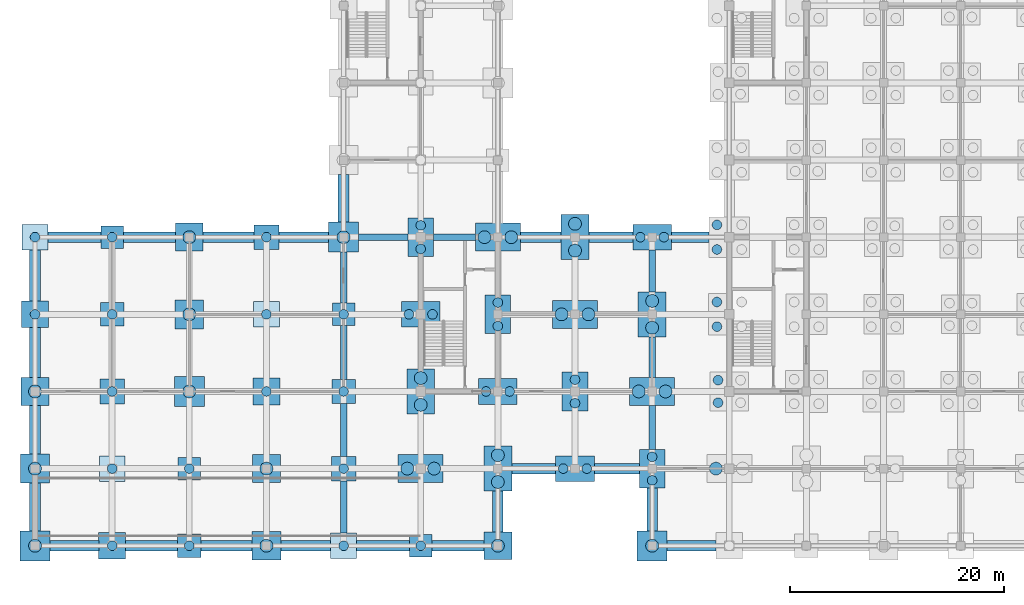
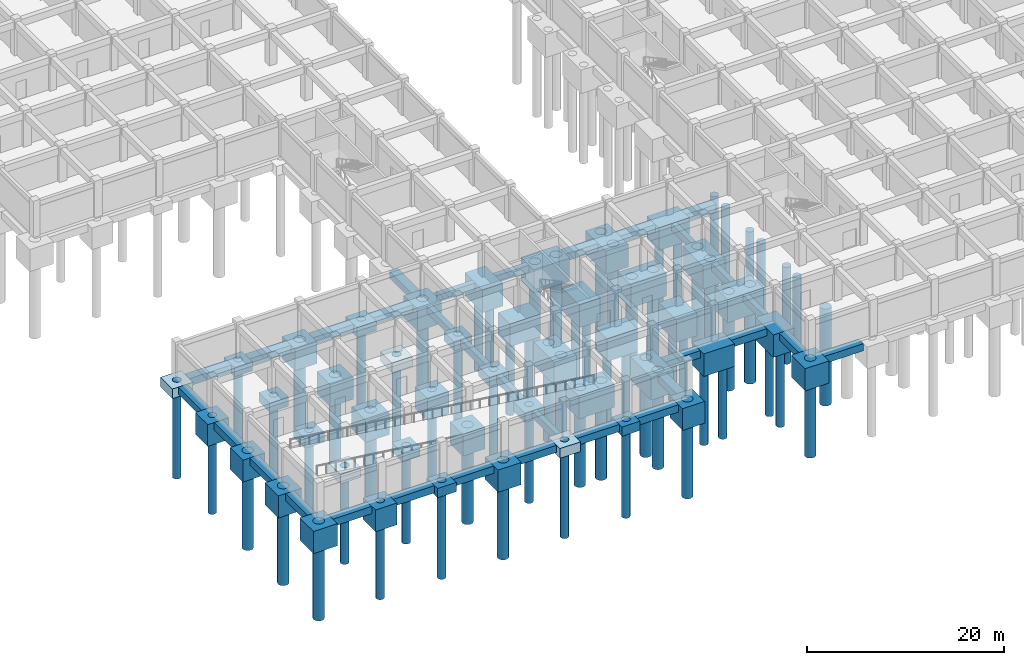
# One storey, part 1 of 25: 76 footings, 67 piles.
"""IFC4 building model written with IfcOpenShell, lengths in metres."""

from ifc_helpers import new_model, si_unit, direction, frame, origin, origin_2d, place, context, subcontext, project, spatial, rectangle, circle, extrude, material, material_profile, profile_set, type_object, element, save


model = new_model("IFC4")

# Units and contexts
model_context = context("Model", 3, precision=1e-05, world=origin(), true_north=direction((0.0, 1.0)))
body_context = subcontext(model_context, "Body", "Model", "MODEL_VIEW")
ifc_project = project(units=[si_unit("LENGTHUNIT", "METRE"), si_unit("AREAUNIT", "SQUARE_METRE"), si_unit("VOLUMEUNIT", "CUBIC_METRE"), si_unit("PLANEANGLEUNIT", "RADIAN"), si_unit("MASSUNIT", "GRAM", prefix="KILO")], contexts=[model_context])

# Site, building, storey
site_placement = place(None, origin())
site = spatial("IfcSite", under=ifc_project, at=site_placement, CompositionType="ELEMENT")
building_placement = place(site_placement, origin())
building = spatial("IfcBuilding", under=site, at=building_placement, Name="Cendaluz Park School", CompositionType="ELEMENT")
storey_placement = place(building_placement, frame((0.0, 0.0, -4.5)))
storey = spatial("IfcBuildingStorey", under=building, at=storey_placement, Name="B1", CompositionType="ELEMENT", Elevation=-4.5)

# Piles
ifc_material = material(Name="Concrete C40/50", Category="concrete")
ifc_material_profile_1 = material_profile(ifc_material, circle(Radius=0.449951171875, at=origin_2d()), Name="BP D900", Category="concrete")
ifc_profile_set_1 = profile_set([ifc_material_profile_1], Name="Concrete C40/50")
pile_type_1 = type_object("IfcPileType", Name="BP-01", PredefinedType="BORED", material=ifc_profile_set_1)
for number, where, z_axis, x_axis, name in (
    (1, (0.0, 21.60009765625, -0.5), (0.0, 0.0, -1.0), (1.0, 0.0, 0.0), "PL-B1-004"),
    (2, (0.0, 28.800048828125, -0.5), (0.0, 0.0, -1.0), (1.0, 0.0, 0.0), "PL-B1-005"),
    (3, (7.199951171875, 0.0, -0.5), (0.0, 0.0, -1.0), (1.0, 0.0, 0.0), "PL-B1-015"),
    (4, (7.199951171875, 7.199951171875, -0.5), (0.0, 0.0, -1.0), (1.0, 0.0, 0.0), "PL-B1-016"),
    (5, (7.199951171875, 14.39990234375, -0.5), (0.0, 0.0, -1.0), (1.0, 0.0, 0.0), "PL-B1-017"),
    (6, (7.199951171875, 21.60009765625, -0.5), (0.0, 0.0, -1.0), (1.0, 0.0, 0.0), "PL-B1-018"),
    (7, (7.199951171875, 28.800048828125, -0.5), (0.0, 0.0, -1.0), (1.0, 0.0, 0.0), "PL-B1-019"),
    (8, (14.39990234375, 0.0, -0.5), (0.0, 0.0, -1.0), (1.0, 0.0, 0.0), "PL-B1-029"),
    (9, (14.39990234375, 7.199951171875, -0.5), (0.0, 0.0, -1.0), (1.0, 0.0, 0.0), "PL-B1-030"),
    (10, (21.60009765625, 14.39990234375, -0.5), (0.0, 0.0, -1.0), (1.0, 0.0, 0.0), "PL-B1-045"),
    (11, (21.60009765625, 21.60009765625, -0.5), (0.0, 0.0, -1.0), (1.0, 0.0, 0.0), "PL-B1-046"),
    (12, (21.60009765625, 28.800048828125, -0.5), (0.0, 0.0, -1.0), (1.0, 0.0, 0.0), "PL-B1-047"),
    (13, (28.800048828125, 0.0, -0.5), (0.0, 0.0, -1.0), (1.0, 0.0, 0.0), "PL-B1-057"),
    (14, (28.800048828125, 7.199951171875, -0.5), (0.0, 0.0, -1.0), (1.0, 0.0, 0.0), "PL-B1-058"),
    (15, (28.800048828125, 14.39990234375, -0.5), (0.0, 0.0, -1.0), (1.0, 0.0, 0.0), "PL-B1-059"),
    (16, (28.800048828125, 21.60009765625, -0.5), (0.0, 0.0, -1.0), (1.0, 0.0, 0.0), "PL-B1-060"),
    (17, (36.0, 0.0, -0.5), (0.0, 0.0, -1.0), (1.0, 0.0, 0.0), "PL-B1-074"),
    (18, (34.89990234375, 21.60009765625, -0.5), (0.0, 0.0, -1.0), (1.0, 0.0, 0.0), "PL-B1-079"),
    (19, (37.10009765625, 21.60009765625, -0.5), (0.0, 0.0, -1.0), (1.0, 0.0, 0.0), "PL-B1-080"),
    (20, (36.0, 27.699951171875, -0.5), (0.0, 0.0, -1.0), (1.0, 0.0, 0.0), "PL-B1-081"),
    (21, (36.0, 29.89990234375, -0.5), (0.0, 0.0, -1.0), (1.0, 0.0, 0.0), "PL-B1-082"),
    (22, (42.10009765625, 14.39990234375, -0.5), (0.0, 0.0, -1.0), (1.0, 0.0, 0.0), "PL-B1-098"),
    (23, (44.300048828125, 14.39990234375, -0.5), (0.0, 0.0, -1.0), (1.0, 0.0, 0.0), "PL-B1-099"),
    (24, (43.199951171875, 20.5, -0.5), (0.0, 0.0, -1.0), (1.0, 0.0, 0.0), "PL-B1-100"),
    (25, (43.199951171875, 22.699951171875, -0.5), (0.0, 0.0, -1.0), (1.0, 0.0, 0.0), "PL-B1-101"),
    (26, (49.300048828125, 7.199951171875, -0.5), (0.0, 0.0, -1.0), (1.0, 0.0, 0.0), "PL-B1-116"),
    (27, (51.5, 7.199951171875, -0.5), (0.0, 0.0, -1.0), (1.0, 0.0, 0.0), "PL-B1-117"),
    (28, (50.39990234375, 13.300048828125, -0.5), (0.0, 0.0, -1.0), (1.0, 0.0, 0.0), "PL-B1-118"),
    (29, (50.39990234375, 15.5, -0.5), (0.0, 0.0, -1.0), (1.0, 0.0, 0.0), "PL-B1-119"),
    (30, (57.60009765625, 6.10009765625, -0.5), (0.0, 0.0, -1.0), (1.0, 0.0, 0.0), "PL-B1-125"),
    (31, (57.60009765625, 8.300048828125, -0.5), (0.0, 0.0, -1.0), (1.0, 0.0, 0.0), "PL-B1-126"),
    (32, (56.5, 28.800048828125, -0.5), (0.0, 0.0, -1.0), (1.0, 0.0, 0.0), "PL-B1-131"),
    (33, (58.699951171875, 28.800048828125, -0.5), (0.0, 0.0, -1.0), (1.0, 0.0, 0.0), "PL-B1-132"),
    (34, (63.75, 13.35009765625, -0.5), (0.0, 0.0, -1.0), (1.0, 0.0, 0.0), "PL-B1-136"),
    (35, (63.75, 15.449951171875, -0.5), (0.0, 0.0, -1.0), (1.0, 0.0, 0.0), "PL-B1-138"),
    (36, (63.64990234375, 20.449951171875, -0.5), (0.0, 0.0, -1.0), (1.0, 0.0, 0.0), "PL-B1-140"),
    (37, (63.64990234375, 22.75, -0.5), (0.0, 0.0, -1.0), (1.0, 0.0, 0.0), "PL-B1-142"),
    (38, (63.64990234375, 27.64990234375, -0.5), (0.0, 0.0, -1.0), (1.0, 0.0, 0.0), "PL-B1-144"),
    (39, (63.64990234375, 29.949951171875, -0.5), (0.0, 0.0, -1.0), (1.0, 0.0, 0.0), "PL-B1-146"),
):
    element("IfcPile", number, at=place(storey_placement, frame(where, z_axis=z_axis, x_axis=x_axis)), inside=storey, type_object=pile_type_1, Name=name, PredefinedType="BORED", context=body_context, shape_type="SweptSolid", body=[
        extrude(circle(Radius=0.449951171875, at=origin_2d()), origin(), (0.0, 0.0, 1.0), 12.0),
    ])
ifc_material_profile_2 = material_profile(ifc_material, circle(Radius=0.60009765625, at=origin_2d()), Name="BP D1200", Category="concrete")
ifc_profile_set_2 = profile_set([ifc_material_profile_2], Name="Concrete C40/50")
pile_type_2 = type_object("IfcPileType", Name="BP-02", PredefinedType="BORED", material=ifc_profile_set_2)
for number, where, z_axis, x_axis, name in (
    (40, (0.0, 0.0, -0.5), (0.0, 0.0, -1.0), (1.0, 0.0, 0.0), "PL-B1-001"),
    (41, (0.0, 7.199951171875, -0.5), (0.0, 0.0, -1.0), (1.0, 0.0, 0.0), "PL-B1-002"),
    (42, (0.0, 14.39990234375, -0.5), (0.0, 0.0, -1.0), (1.0, 0.0, 0.0), "PL-B1-003"),
    (43, (14.39990234375, 14.39990234375, -0.5), (0.0, 0.0, -1.0), (1.0, 0.0, 0.0), "PL-B1-031"),
    (44, (14.39990234375, 21.60009765625, -0.5), (0.0, 0.0, -1.0), (1.0, 0.0, 0.0), "PL-B1-032"),
    (45, (14.39990234375, 28.800048828125, -0.5), (0.0, 0.0, -1.0), (1.0, 0.0, 0.0), "PL-B1-033"),
    (46, (21.60009765625, 0.0, -0.5), (0.0, 0.0, -1.0), (1.0, 0.0, 0.0), "PL-B1-043"),
    (47, (21.60009765625, 7.199951171875, -0.5), (0.0, 0.0, -1.0), (1.0, 0.0, 0.0), "PL-B1-044"),
    (48, (28.800048828125, 28.800048828125, -0.5), (0.0, 0.0, -1.0), (1.0, 0.0, 0.0), "PL-B1-061"),
    (49, (34.75, 7.199951171875, -0.5), (0.0, 0.0, -1.0), (1.0, 0.0, 0.0), "PL-B1-075"),
    (50, (37.25, 7.199951171875, -0.5), (0.0, 0.0, -1.0), (1.0, 0.0, 0.0), "PL-B1-076"),
    (51, (36.0, 13.14990234375, -0.5), (0.0, 0.0, -1.0), (1.0, 0.0, 0.0), "PL-B1-077"),
    (52, (36.0, 15.64990234375, -0.5), (0.0, 0.0, -1.0), (1.0, 0.0, 0.0), "PL-B1-078"),
    (53, (43.199951171875, 0.0, -0.5), (0.0, 0.0, -1.0), (1.0, 0.0, 0.0), "PL-B1-095"),
    (54, (43.199951171875, 5.949951171875, -0.5), (0.0, 0.0, -1.0), (1.0, 0.0, 0.0), "PL-B1-096"),
    (55, (43.199951171875, 8.449951171875, -0.5), (0.0, 0.0, -1.0), (1.0, 0.0, 0.0), "PL-B1-097"),
    (56, (41.949951171875, 28.800048828125, -0.5), (0.0, 0.0, -1.0), (1.0, 0.0, 0.0), "PL-B1-102"),
    (57, (44.449951171875, 28.800048828125, -0.5), (0.0, 0.0, -1.0), (1.0, 0.0, 0.0), "PL-B1-103"),
    (58, (49.14990234375, 21.60009765625, -0.5), (0.0, 0.0, -1.0), (1.0, 0.0, 0.0), "PL-B1-120"),
    (59, (51.64990234375, 21.60009765625, -0.5), (0.0, 0.0, -1.0), (1.0, 0.0, 0.0), "PL-B1-121"),
    (60, (50.39990234375, 27.550048828125, -0.5), (0.0, 0.0, -1.0), (1.0, 0.0, 0.0), "PL-B1-122"),
    (61, (50.39990234375, 30.050048828125, -0.5), (0.0, 0.0, -1.0), (1.0, 0.0, 0.0), "PL-B1-123"),
    (62, (57.60009765625, 0.0, -0.5), (0.0, 0.0, -1.0), (1.0, 0.0, 0.0), "PL-B1-124"),
    (63, (56.35009765625, 14.39990234375, -0.5), (0.0, 0.0, -1.0), (1.0, 0.0, 0.0), "PL-B1-127"),
    (64, (58.85009765625, 14.39990234375, -0.5), (0.0, 0.0, -1.0), (1.0, 0.0, 0.0), "PL-B1-128"),
    (65, (57.60009765625, 20.35009765625, -0.5), (0.0, 0.0, -1.0), (1.0, 0.0, 0.0), "PL-B1-129"),
    (66, (57.60009765625, 22.85009765625, -0.5), (0.0, 0.0, -1.0), (1.0, 0.0, 0.0), "PL-B1-130"),
    (67, (63.550048828125, 7.199951171875, -0.5), (0.0, 0.0, -1.0), (1.0, 0.0, 0.0), "PL-B1-134"),
):
    element("IfcPile", number, at=place(storey_placement, frame(where, z_axis=z_axis, x_axis=x_axis)), inside=storey, type_object=pile_type_2, Name=name, PredefinedType="BORED", context=body_context, shape_type="SweptSolid", body=[
        extrude(circle(Radius=0.60009765625, at=origin_2d()), origin(), (0.0, 0.0, 1.0), 12.0),
    ])

# Footings
footing_type_1 = type_object("IfcFootingType", Name="FB-X390", PredefinedType="FOOTING_BEAM", material=ifc_material)
footing_1_placement = place(storey_placement, frame((39.14990234375, 28.800048828125, -1.39990234375), z_axis=(0.0, 0.0, 1.0), x_axis=(1.0, 0.0, 0.0)))
element("IfcFooting", 68, at=footing_1_placement, inside=storey, type_object=footing_type_1, Name="FT-B1-336", PredefinedType="FOOTING_BEAM", context=body_context, shape_type="SweptSolid", body=[
    extrude(rectangle(XDim=3.89990234375, YDim=0.60009765625, at=origin_2d()), origin(), (0.0, 0.0, 1.0), 0.89990234375),
])
footing_type_2 = type_object("IfcFootingType", Name="FB-X460", PredefinedType="FOOTING_BEAM", material=ifc_material)
footing_2_placement = place(storey_placement, frame((32.5, 28.800048828125, -1.39990234375), z_axis=(0.0, 0.0, 1.0), x_axis=(1.0, 0.0, 0.0)))
element("IfcFooting", 69, at=footing_2_placement, inside=storey, type_object=footing_type_2, Name="FT-B1-331", PredefinedType="FOOTING_BEAM", context=body_context, shape_type="SweptSolid", body=[
    extrude(rectangle(XDim=4.60009765625, YDim=0.60009765625, at=origin_2d()), origin(), (0.0, 0.0, 1.0), 0.89990234375),
])
footing_type_3 = type_object("IfcFootingType", Name="FB-Y380", PredefinedType="FOOTING_BEAM", material=ifc_material)
footing_3_placement = place(storey_placement, frame((57.60009765625, 17.60009765625, -1.39990234375), z_axis=(0.0, 0.0, 1.0), x_axis=(1.0, 0.0, 0.0)))
element("IfcFooting", 70, at=footing_3_placement, inside=storey, type_object=footing_type_3, Name="FT-B1-449", PredefinedType="FOOTING_BEAM", context=body_context, shape_type="SweptSolid", body=[
    extrude(rectangle(XDim=0.60009765625, YDim=3.800048828125, at=origin_2d()), origin(), (0.0, 0.0, 1.0), 0.89990234375),
])
footing_type_4 = type_object("IfcFootingType", Name="FB-Y390", PredefinedType="FOOTING_BEAM", material=ifc_material)
footing_4_placement = place(storey_placement, frame((57.60009765625, 25.64990234375, -1.39990234375), z_axis=(0.0, 0.0, 1.0), x_axis=(1.0, 0.0, 0.0)))
element("IfcFooting", 71, at=footing_4_placement, inside=storey, type_object=footing_type_4, Name="FT-B1-450", PredefinedType="FOOTING_BEAM", context=body_context, shape_type="SweptSolid", body=[
    extrude(rectangle(XDim=0.60009765625, YDim=3.89990234375, at=origin_2d()), origin(), (0.0, 0.0, 1.0), 0.89990234375),
])
footing_type_5 = type_object("IfcFootingType", Name="FB-Y410", PredefinedType="FOOTING_BEAM", material=ifc_material)
footing_5_placement = place(storey_placement, frame((57.60009765625, 11.050048828125, -1.39990234375), z_axis=(0.0, 0.0, 1.0), x_axis=(1.0, 0.0, 0.0)))
element("IfcFooting", 72, at=footing_5_placement, inside=storey, type_object=footing_type_5, Name="FT-B1-448", PredefinedType="FOOTING_BEAM", context=body_context, shape_type="SweptSolid", body=[
    extrude(rectangle(XDim=0.60009765625, YDim=4.10009765625, at=origin_2d()), origin(), (0.0, 0.0, 1.0), 0.89990234375),
])
footing_type_6 = type_object("IfcFootingType", Name="FB-Y475", PredefinedType="FOOTING_BEAM", material=ifc_material)
footing_6_placement = place(storey_placement, frame((28.800048828125, 25.02490234375, -1.39990234375), z_axis=(0.0, 0.0, 1.0), x_axis=(1.0, 0.0, 0.0)))
element("IfcFooting", 73, at=footing_6_placement, inside=storey, type_object=footing_type_6, Name="FT-B1-421", PredefinedType="FOOTING_BEAM", context=body_context, shape_type="SweptSolid", body=[
    extrude(rectangle(XDim=0.60009765625, YDim=4.75, at=origin_2d()), origin(), (0.0, 0.0, 1.0), 0.89990234375),
])
footing_type_7 = type_object("IfcFootingType", Name="FB-Y485", PredefinedType="FOOTING_BEAM", material=ifc_material)
footing_7_placement = place(storey_placement, frame((28.800048828125, 3.625, -1.39990234375), z_axis=(0.0, 0.0, 1.0), x_axis=(1.0, 0.0, 0.0)))
element("IfcFooting", 74, at=footing_7_placement, inside=storey, type_object=footing_type_7, Name="FT-B1-418", PredefinedType="FOOTING_BEAM", context=body_context, shape_type="SweptSolid", body=[
    extrude(rectangle(XDim=0.60009765625, YDim=4.85009765625, at=origin_2d()), origin(), (0.0, 0.0, 1.0), 0.89990234375),
])
footing_type_8 = type_object("IfcFootingType", Name="FB-Y495", PredefinedType="FOOTING_BEAM", material=ifc_material)
footing_8_placement = place(storey_placement, frame((28.800048828125, 10.824951171875, -1.39990234375), z_axis=(0.0, 0.0, 1.0), x_axis=(1.0, 0.0, 0.0)))
element("IfcFooting", 75, at=footing_8_placement, inside=storey, type_object=footing_type_8, Name="FT-B1-419", PredefinedType="FOOTING_BEAM", context=body_context, shape_type="SweptSolid", body=[
    extrude(rectangle(XDim=0.60009765625, YDim=4.949951171875, at=origin_2d()), origin(), (0.0, 0.0, 1.0), 0.89990234375),
])
footing_type_9 = type_object("IfcFootingType", Name="FB-Y505", PredefinedType="FOOTING_BEAM", material=ifc_material)
footing_9_placement = place(storey_placement, frame((28.800048828125, 18.02490234375, -1.39990234375), z_axis=(0.0, 0.0, 1.0), x_axis=(1.0, 0.0, 0.0)))
element("IfcFooting", 76, at=footing_9_placement, inside=storey, type_object=footing_type_9, Name="FT-B1-420", PredefinedType="FOOTING_BEAM", context=body_context, shape_type="SweptSolid", body=[
    extrude(rectangle(XDim=0.60009765625, YDim=5.050048828125, at=origin_2d()), origin(), (0.0, 0.0, 1.0), 0.89990234375),
])
footing_type_10 = type_object("IfcFootingType", Name="PC-05", PredefinedType="PILE_CAP", material=ifc_material)
for number, where, z_axis, x_axis, name in (
    (77, (36.0, 21.60009765625, -3.2998046875), (0.0, 0.0, 1.0), (1.0, 0.0, 0.0), "FT-B1-077"),
    (78, (43.199951171875, 14.39990234375, -3.2998046875), (0.0, 0.0, 1.0), (1.0, 0.0, 0.0), "FT-B1-093"),
    (79, (50.39990234375, 7.199951171875, -3.2998046875), (0.0, 0.0, 1.0), (1.0, 0.0, 0.0), "FT-B1-108"),
    (80, (57.60009765625, 28.800048828125, -3.2998046875), (0.0, 0.0, 1.0), (1.0, 0.0, 0.0), "FT-B1-116"),
):
    element("IfcFooting", number, at=place(storey_placement, frame(where, z_axis=z_axis, x_axis=x_axis)), inside=storey, type_object=footing_type_10, Name=name, PredefinedType="PILE_CAP", context=body_context, shape_type="SweptSolid", body=[
        extrude(rectangle(XDim=3.60009765625, YDim=2.39990234375, at=origin_2d()), origin(), (0.0, 0.0, 1.0), 2.800048828125),
    ])
footing_type_11 = type_object("IfcFootingType", Name="PC-06", PredefinedType="PILE_CAP", material=ifc_material)
for number, where, z_axis, x_axis, name in (
    (81, (36.0, 28.800048828125, -3.2998046875), (0.0, 0.0, 1.0), (1.0, 0.0, 0.0), "FT-B1-078"),
    (82, (43.199951171875, 21.60009765625, -3.2998046875), (0.0, 0.0, 1.0), (1.0, 0.0, 0.0), "FT-B1-094"),
    (83, (50.39990234375, 14.39990234375, -3.2998046875), (0.0, 0.0, 1.0), (1.0, 0.0, 0.0), "FT-B1-109"),
    (84, (57.60009765625, 7.199951171875, -3.2998046875), (0.0, 0.0, 1.0), (1.0, 0.0, 0.0), "FT-B1-113"),
):
    element("IfcFooting", number, at=place(storey_placement, frame(where, z_axis=z_axis, x_axis=x_axis)), inside=storey, type_object=footing_type_11, Name=name, PredefinedType="PILE_CAP", context=body_context, shape_type="SweptSolid", body=[
        extrude(rectangle(XDim=2.39990234375, YDim=3.60009765625, at=origin_2d()), origin(), (0.0, 0.0, 1.0), 2.800048828125),
    ])
footing_type_12 = type_object("IfcFootingType", Name="PC-07", PredefinedType="PILE_CAP", material=ifc_material)
for number, where, z_axis, x_axis, name in (
    (85, (36.0, 7.199951171875, -3.35009765625), (0.0, 0.0, 1.0), (1.0, 0.0, 0.0), "FT-B1-075"),
    (86, (43.199951171875, 28.800048828125, -3.35009765625), (0.0, 0.0, 1.0), (1.0, 0.0, 0.0), "FT-B1-095"),
    (87, (50.39990234375, 21.60009765625, -3.35009765625), (0.0, 0.0, 1.0), (1.0, 0.0, 0.0), "FT-B1-110"),
    (88, (57.60009765625, 14.39990234375, -3.35009765625), (0.0, 0.0, 1.0), (1.0, 0.0, 0.0), "FT-B1-114"),
):
    element("IfcFooting", number, at=place(storey_placement, frame(where, z_axis=z_axis, x_axis=x_axis)), inside=storey, type_object=footing_type_12, Name=name, PredefinedType="PILE_CAP", context=body_context, shape_type="SweptSolid", body=[
        extrude(rectangle(XDim=4.199951171875, YDim=2.60009765625, at=origin_2d()), origin(), (0.0, 0.0, 1.0), 2.85009765625),
    ])
footing_type_13 = type_object("IfcFootingType", Name="PC-08", PredefinedType="PILE_CAP", material=ifc_material)
for number, where, z_axis, x_axis, name in (
    (89, (36.0, 14.39990234375, -3.35009765625), (0.0, 0.0, 1.0), (1.0, 0.0, 0.0), "FT-B1-076"),
    (90, (43.199951171875, 7.199951171875, -3.35009765625), (0.0, 0.0, 1.0), (1.0, 0.0, 0.0), "FT-B1-092"),
    (91, (50.39990234375, 28.800048828125, -3.35009765625), (0.0, 0.0, 1.0), (1.0, 0.0, 0.0), "FT-B1-111"),
    (92, (57.60009765625, 21.60009765625, -3.35009765625), (0.0, 0.0, 1.0), (1.0, 0.0, 0.0), "FT-B1-115"),
):
    element("IfcFooting", number, at=place(storey_placement, frame(where, z_axis=z_axis, x_axis=x_axis)), inside=storey, type_object=footing_type_13, Name=name, PredefinedType="PILE_CAP", context=body_context, shape_type="SweptSolid", body=[
        extrude(rectangle(XDim=2.60009765625, YDim=4.199951171875, at=origin_2d()), origin(), (0.0, 0.0, 1.0), 2.85009765625),
    ])
footing_type_14 = type_object("IfcFootingType", Name="PC-09", PredefinedType="PILE_CAP", material=ifc_material)
for number, where, z_axis, x_axis, name in (
    (93, (0.0, 0.0, -3.25), (0.0, 0.0, 1.0), (1.0, 0.0, 0.0), "FT-B1-001"),
    (94, (14.39990234375, 14.39990234375, -3.25), (0.0, 0.0, 1.0), (1.0, 0.0, 0.0), "FT-B1-031"),
    (95, (28.800048828125, 28.800048828125, -3.25), (0.0, 0.0, 1.0), (1.0, 0.0, 0.0), "FT-B1-061"),
    (96, (57.60009765625, 0.0, -3.25), (0.0, 0.0, 1.0), (1.0, 0.0, 0.0), "FT-B1-112"),
):
    element("IfcFooting", number, at=place(storey_placement, frame(where, z_axis=z_axis, x_axis=x_axis)), inside=storey, type_object=footing_type_14, Name=name, PredefinedType="PILE_CAP", context=body_context, shape_type="SweptSolid", body=[
        extrude(rectangle(XDim=2.800048828125, YDim=2.800048828125, at=origin_2d()), origin(), (0.0, 0.0, 1.0), 2.75),
    ])
footing_type_15 = type_object("IfcFootingType", Name="PC-10", PredefinedType="PILE_CAP", material=ifc_material)
for number, where, z_axis, x_axis, name in (
    (97, (0.0, 7.199951171875, -3.25), (0.0, 0.0, 1.0), (1.0, 0.0, 0.0), "FT-B1-002"),
    (98, (14.39990234375, 21.60009765625, -3.25), (0.0, 0.0, 1.0), (1.0, 0.0, 0.0), "FT-B1-032"),
    (99, (21.60009765625, 0.0, -3.25), (0.0, 0.0, 1.0), (1.0, 0.0, 0.0), "FT-B1-043"),
):
    element("IfcFooting", number, at=place(storey_placement, frame(where, z_axis=z_axis, x_axis=x_axis)), inside=storey, type_object=footing_type_15, Name=name, PredefinedType="PILE_CAP", context=body_context, shape_type="SweptSolid", body=[
        extrude(rectangle(XDim=2.699951171875, YDim=2.699951171875, at=origin_2d()), origin(), (0.0, 0.0, 1.0), 2.75),
    ])
footing_type_16 = type_object("IfcFootingType", Name="PC-11", PredefinedType="PILE_CAP", material=ifc_material)
for number, where, z_axis, x_axis, name in (
    (100, (0.0, 14.39990234375, -3.2001953125), (0.0, 0.0, 1.0), (1.0, 0.0, 0.0), "FT-B1-003"),
    (101, (14.39990234375, 28.800048828125, -3.2001953125), (0.0, 0.0, 1.0), (1.0, 0.0, 0.0), "FT-B1-033"),
    (102, (21.60009765625, 7.199951171875, -3.2001953125), (0.0, 0.0, 1.0), (1.0, 0.0, 0.0), "FT-B1-044"),
    (103, (43.199951171875, 0.0, -3.2001953125), (0.0, 0.0, 1.0), (1.0, 0.0, 0.0), "FT-B1-091"),
):
    element("IfcFooting", number, at=place(storey_placement, frame(where, z_axis=z_axis, x_axis=x_axis)), inside=storey, type_object=footing_type_16, Name=name, PredefinedType="PILE_CAP", context=body_context, shape_type="SweptSolid", body=[
        extrude(rectangle(XDim=2.60009765625, YDim=2.60009765625, at=origin_2d()), origin(), (0.0, 0.0, 1.0), 2.699951171875),
    ])
footing_type_17 = type_object("IfcFootingType", Name="PC-12", PredefinedType="PILE_CAP", material=ifc_material)
for number, where, z_axis, x_axis, name in (
    (104, (0.0, 21.60009765625, -3.2001953125), (0.0, 0.0, 1.0), (1.0, 0.0, 0.0), "FT-B1-004"),
    (105, (7.199951171875, 0.0, -3.2001953125), (0.0, 0.0, 1.0), (1.0, 0.0, 0.0), "FT-B1-015"),
    (106, (21.60009765625, 14.39990234375, -3.2001953125), (0.0, 0.0, 1.0), (1.0, 0.0, 0.0), "FT-B1-045"),
):
    element("IfcFooting", number, at=place(storey_placement, frame(where, z_axis=z_axis, x_axis=x_axis)), inside=storey, type_object=footing_type_17, Name=name, PredefinedType="PILE_CAP", context=body_context, shape_type="SweptSolid", body=[
        extrude(rectangle(XDim=2.5, YDim=2.5, at=origin_2d()), origin(), (0.0, 0.0, 1.0), 2.699951171875),
    ])
footing_type_18 = type_object("IfcFootingType", Name="PC-13", PredefinedType="PILE_CAP", material=ifc_material)
for number, where, z_axis, x_axis, name in (
    (107, (0.0, 28.800048828125, -1.7001953125), (0.0, 0.0, 1.0), (1.0, 0.0, 0.0), "FT-B1-005"),
    (108, (7.199951171875, 7.199951171875, -1.7001953125), (0.0, 0.0, 1.0), (1.0, 0.0, 0.0), "FT-B1-016"),
    (109, (21.60009765625, 21.60009765625, -1.7001953125), (0.0, 0.0, 1.0), (1.0, 0.0, 0.0), "FT-B1-046"),
    (110, (28.800048828125, 0.0, -1.7001953125), (0.0, 0.0, 1.0), (1.0, 0.0, 0.0), "FT-B1-057"),
):
    element("IfcFooting", number, at=place(storey_placement, frame(where, z_axis=z_axis, x_axis=x_axis)), inside=storey, type_object=footing_type_18, Name=name, PredefinedType="PILE_CAP", context=body_context, shape_type="SweptSolid", body=[
        extrude(rectangle(XDim=2.39990234375, YDim=2.39990234375, at=origin_2d()), origin(), (0.0, 0.0, 1.0), 1.199951171875),
    ])
footing_type_19 = type_object("IfcFootingType", Name="PC-14", PredefinedType="PILE_CAP", material=ifc_material)
for number, where, z_axis, x_axis, name in (
    (111, (7.199951171875, 14.39990234375, -1.7001953125), (0.0, 0.0, 1.0), (1.0, 0.0, 0.0), "FT-B1-017"),
    (112, (21.60009765625, 28.800048828125, -1.7001953125), (0.0, 0.0, 1.0), (1.0, 0.0, 0.0), "FT-B1-047"),
    (113, (28.800048828125, 7.199951171875, -1.7001953125), (0.0, 0.0, 1.0), (1.0, 0.0, 0.0), "FT-B1-058"),
):
    element("IfcFooting", number, at=place(storey_placement, frame(where, z_axis=z_axis, x_axis=x_axis)), inside=storey, type_object=footing_type_19, Name=name, PredefinedType="PILE_CAP", context=body_context, shape_type="SweptSolid", body=[
        extrude(rectangle(XDim=2.300048828125, YDim=2.300048828125, at=origin_2d()), origin(), (0.0, 0.0, 1.0), 1.199951171875),
    ])
footing_type_20 = type_object("IfcFootingType", Name="PC-15", PredefinedType="PILE_CAP", material=ifc_material)
for number, where, z_axis, x_axis, name in (
    (114, (7.199951171875, 21.60009765625, -1.64990234375), (0.0, 0.0, 1.0), (1.0, 0.0, 0.0), "FT-B1-018"),
    (115, (14.39990234375, 0.0, -1.64990234375), (0.0, 0.0, 1.0), (1.0, 0.0, 0.0), "FT-B1-029"),
    (116, (28.800048828125, 14.39990234375, -1.64990234375), (0.0, 0.0, 1.0), (1.0, 0.0, 0.0), "FT-B1-059"),
):
    element("IfcFooting", number, at=place(storey_placement, frame(where, z_axis=z_axis, x_axis=x_axis)), inside=storey, type_object=footing_type_20, Name=name, PredefinedType="PILE_CAP", context=body_context, shape_type="SweptSolid", body=[
        extrude(rectangle(XDim=2.199951171875, YDim=2.199951171875, at=origin_2d()), origin(), (0.0, 0.0, 1.0), 1.14990234375),
    ])
footing_type_21 = type_object("IfcFootingType", Name="PC-16", PredefinedType="PILE_CAP", material=ifc_material)
for number, where, z_axis, x_axis, name in (
    (117, (7.199951171875, 28.800048828125, -1.64990234375), (0.0, 0.0, 1.0), (1.0, 0.0, 0.0), "FT-B1-019"),
    (118, (14.39990234375, 7.199951171875, -1.64990234375), (0.0, 0.0, 1.0), (1.0, 0.0, 0.0), "FT-B1-030"),
    (119, (28.800048828125, 21.60009765625, -1.64990234375), (0.0, 0.0, 1.0), (1.0, 0.0, 0.0), "FT-B1-060"),
    (120, (36.0, 0.0, -1.64990234375), (0.0, 0.0, 1.0), (1.0, 0.0, 0.0), "FT-B1-074"),
):
    element("IfcFooting", number, at=place(storey_placement, frame(where, z_axis=z_axis, x_axis=x_axis)), inside=storey, type_object=footing_type_21, Name=name, PredefinedType="PILE_CAP", context=body_context, shape_type="SweptSolid", body=[
        extrude(rectangle(XDim=2.10009765625, YDim=2.10009765625, at=origin_2d()), origin(), (0.0, 0.0, 1.0), 1.14990234375),
    ])
footing_type_22 = type_object("IfcFootingType", Name="SF-X350", PredefinedType="STRIP_FOOTING", material=ifc_material)
footing_10_placement = place(storey_placement, frame((61.14990234375, 28.800048828125, -1.39990234375), z_axis=(0.0, 0.0, 1.0), x_axis=(1.0, 0.0, 0.0)))
element("IfcFooting", 121, at=footing_10_placement, inside=storey, type_object=footing_type_22, Name="FT-B1-345", PredefinedType="STRIP_FOOTING", context=body_context, shape_type="SweptSolid", body=[
    extrude(rectangle(XDim=3.5, YDim=1.0, at=origin_2d()), origin(), (0.0, 0.0, 1.0), 0.89990234375),
])
footing_type_23 = type_object("IfcFootingType", Name="SF-X380", PredefinedType="STRIP_FOOTING", material=ifc_material)
footing_11_placement = place(storey_placement, frame((47.199951171875, 28.800048828125, -1.39990234375), z_axis=(0.0, 0.0, 1.0), x_axis=(1.0, 0.0, 0.0)))
element("IfcFooting", 122, at=footing_11_placement, inside=storey, type_object=footing_type_23, Name="FT-B1-341", PredefinedType="STRIP_FOOTING", context=body_context, shape_type="SweptSolid", body=[
    extrude(rectangle(XDim=3.800048828125, YDim=1.0, at=origin_2d()), origin(), (0.0, 0.0, 1.0), 0.89990234375),
])
footing_type_24 = type_object("IfcFootingType", Name="SF-X410", PredefinedType="STRIP_FOOTING", material=ifc_material)
for number, where, z_axis, x_axis, name in (
    (123, (46.550048828125, 7.199951171875, -1.39990234375), (0.0, 0.0, 1.0), (1.0, 0.0, 0.0), "FT-B1-340"),
    (124, (53.75, 28.800048828125, -1.39990234375), (0.0, 0.0, 1.0), (1.0, 0.0, 0.0), "FT-B1-343"),
):
    element("IfcFooting", number, at=place(storey_placement, frame(where, z_axis=z_axis, x_axis=x_axis)), inside=storey, type_object=footing_type_24, Name=name, PredefinedType="STRIP_FOOTING", context=body_context, shape_type="SweptSolid", body=[
        extrude(rectangle(XDim=4.10009765625, YDim=1.0, at=origin_2d()), origin(), (0.0, 0.0, 1.0), 0.89990234375),
    ])
footing_type_25 = type_object("IfcFootingType", Name="SF-X420", PredefinedType="STRIP_FOOTING", material=ifc_material)
footing_12_placement = place(storey_placement, frame((54.300048828125, 7.199951171875, -1.39990234375), z_axis=(0.0, 0.0, 1.0), x_axis=(1.0, 0.0, 0.0)))
element("IfcFooting", 125, at=footing_12_placement, inside=storey, type_object=footing_type_25, Name="FT-B1-342", PredefinedType="STRIP_FOOTING", context=body_context, shape_type="SweptSolid", body=[
    extrude(rectangle(XDim=4.199951171875, YDim=1.0, at=origin_2d()), origin(), (0.0, 0.0, 1.0), 0.89990234375),
])
footing_type_26 = type_object("IfcFootingType", Name="SF-X455", PredefinedType="STRIP_FOOTING", material=ifc_material)
for number, where, z_axis, x_axis, name in (
    (126, (3.675048828125, 0.0, -1.39990234375), (0.0, 0.0, 1.0), (1.0, 0.0, 0.0), "FT-B1-310"),
    (127, (61.27490234375, 0.0, -1.39990234375), (0.0, 0.0, 1.0), (1.0, 0.0, 0.0), "FT-B1-344"),
):
    element("IfcFooting", number, at=place(storey_placement, frame(where, z_axis=z_axis, x_axis=x_axis)), inside=storey, type_object=footing_type_26, Name=name, PredefinedType="STRIP_FOOTING", context=body_context, shape_type="SweptSolid", body=[
        extrude(rectangle(XDim=4.550048828125, YDim=1.0, at=origin_2d()), origin(), (0.0, 0.0, 1.0), 0.89990234375),
    ])
footing_type_27 = type_object("IfcFootingType", Name="SF-X465", PredefinedType="STRIP_FOOTING", material=ifc_material)
for number, where, z_axis, x_axis, name in (
    (128, (25.27490234375, 0.0, -1.39990234375), (0.0, 0.0, 1.0), (1.0, 0.0, 0.0), "FT-B1-325"),
    (129, (25.074951171875, 28.800048828125, -1.39990234375), (0.0, 0.0, 1.0), (1.0, 0.0, 0.0), "FT-B1-326"),
):
    element("IfcFooting", number, at=place(storey_placement, frame(where, z_axis=z_axis, x_axis=x_axis)), inside=storey, type_object=footing_type_27, Name=name, PredefinedType="STRIP_FOOTING", context=body_context, shape_type="SweptSolid", body=[
        extrude(rectangle(XDim=4.64990234375, YDim=1.0, at=origin_2d()), origin(), (0.0, 0.0, 1.0), 0.89990234375),
    ])
footing_type_28 = type_object("IfcFootingType", Name="SF-X475", PredefinedType="STRIP_FOOTING", material=ifc_material)
for number, where, z_axis, x_axis, name in (
    (130, (17.875, 0.0, -1.39990234375), (0.0, 0.0, 1.0), (1.0, 0.0, 0.0), "FT-B1-320"),
    (131, (18.074951171875, 28.800048828125, -1.39990234375), (0.0, 0.0, 1.0), (1.0, 0.0, 0.0), "FT-B1-321"),
):
    element("IfcFooting", number, at=place(storey_placement, frame(where, z_axis=z_axis, x_axis=x_axis)), inside=storey, type_object=footing_type_28, Name=name, PredefinedType="STRIP_FOOTING", context=body_context, shape_type="SweptSolid", body=[
        extrude(rectangle(XDim=4.75, YDim=1.0, at=origin_2d()), origin(), (0.0, 0.0, 1.0), 0.89990234375),
    ])
footing_type_29 = type_object("IfcFootingType", Name="SF-X485", PredefinedType="STRIP_FOOTING", material=ifc_material)
for number, where, z_axis, x_axis, name in (
    (132, (10.875, 0.0, -1.39990234375), (0.0, 0.0, 1.0), (1.0, 0.0, 0.0), "FT-B1-315"),
    (133, (10.675048828125, 28.800048828125, -1.39990234375), (0.0, 0.0, 1.0), (1.0, 0.0, 0.0), "FT-B1-316"),
    (134, (39.47509765625, 0.0, -1.39990234375), (0.0, 0.0, 1.0), (1.0, 0.0, 0.0), "FT-B1-335"),
):
    element("IfcFooting", number, at=place(storey_placement, frame(where, z_axis=z_axis, x_axis=x_axis)), inside=storey, type_object=footing_type_29, Name=name, PredefinedType="STRIP_FOOTING", context=body_context, shape_type="SweptSolid", body=[
        extrude(rectangle(XDim=4.85009765625, YDim=1.0, at=origin_2d()), origin(), (0.0, 0.0, 1.0), 0.89990234375),
    ])
footing_type_30 = type_object("IfcFootingType", Name="SF-X495", PredefinedType="STRIP_FOOTING", material=ifc_material)
for number, where, z_axis, x_axis, name in (
    (135, (3.675048828125, 28.800048828125, -1.39990234375), (0.0, 0.0, 1.0), (1.0, 0.0, 0.0), "FT-B1-311"),
    (136, (32.47509765625, 0.0, -1.39990234375), (0.0, 0.0, 1.0), (1.0, 0.0, 0.0), "FT-B1-330"),
):
    element("IfcFooting", number, at=place(storey_placement, frame(where, z_axis=z_axis, x_axis=x_axis)), inside=storey, type_object=footing_type_30, Name=name, PredefinedType="STRIP_FOOTING", context=body_context, shape_type="SweptSolid", body=[
        extrude(rectangle(XDim=4.949951171875, YDim=1.0, at=origin_2d()), origin(), (0.0, 0.0, 1.0), 0.89990234375),
    ])
footing_type_31 = type_object("IfcFootingType", Name="SF-Y380", PredefinedType="STRIP_FOOTING", material=ifc_material)
footing_13_placement = place(storey_placement, frame((43.199951171875, 3.199951171875, -1.39990234375), z_axis=(0.0, 0.0, 1.0), x_axis=(1.0, 0.0, 0.0)))
element("IfcFooting", 137, at=footing_13_placement, inside=storey, type_object=footing_type_31, Name="FT-B1-434", PredefinedType="STRIP_FOOTING", context=body_context, shape_type="SweptSolid", body=[
    extrude(rectangle(XDim=1.0, YDim=3.800048828125, at=origin_2d()), origin(), (0.0, 0.0, 1.0), 0.89990234375),
])
footing_type_32 = type_object("IfcFootingType", Name="SF-Y400", PredefinedType="STRIP_FOOTING", material=ifc_material)
footing_14_placement = place(storey_placement, frame((57.60009765625, 3.39990234375, -1.39990234375), z_axis=(0.0, 0.0, 1.0), x_axis=(1.0, 0.0, 0.0)))
element("IfcFooting", 138, at=footing_14_placement, inside=storey, type_object=footing_type_32, Name="FT-B1-447", PredefinedType="STRIP_FOOTING", context=body_context, shape_type="SweptSolid", body=[
    extrude(rectangle(XDim=1.0, YDim=4.0, at=origin_2d()), origin(), (0.0, 0.0, 1.0), 0.89990234375),
])
footing_type_33 = type_object("IfcFootingType", Name="SF-Y445", PredefinedType="STRIP_FOOTING", material=ifc_material)
for number, where, z_axis, x_axis, name in (
    (139, (0.0, 3.625, -1.39990234375), (0.0, 0.0, 1.0), (1.0, 0.0, 0.0), "FT-B1-406"),
    (140, (28.800048828125, 32.425048828125, -1.39990234375), (0.0, 0.0, 1.0), (1.0, 0.0, 0.0), "FT-B1-422"),
):
    element("IfcFooting", number, at=place(storey_placement, frame(where, z_axis=z_axis, x_axis=x_axis)), inside=storey, type_object=footing_type_33, Name=name, PredefinedType="STRIP_FOOTING", context=body_context, shape_type="SweptSolid", body=[
        extrude(rectangle(XDim=1.0, YDim=4.449951171875, at=origin_2d()), origin(), (0.0, 0.0, 1.0), 0.89990234375),
    ])
footing_type_34 = type_object("IfcFootingType", Name="SF-Y455", PredefinedType="STRIP_FOOTING", material=ifc_material)
footing_15_placement = place(storey_placement, frame((0.0, 10.824951171875, -1.39990234375), z_axis=(0.0, 0.0, 1.0), x_axis=(1.0, 0.0, 0.0)))
element("IfcFooting", 141, at=footing_15_placement, inside=storey, type_object=footing_type_34, Name="FT-B1-407", PredefinedType="STRIP_FOOTING", context=body_context, shape_type="SweptSolid", body=[
    extrude(rectangle(XDim=1.0, YDim=4.550048828125, at=origin_2d()), origin(), (0.0, 0.0, 1.0), 0.89990234375),
])
footing_type_35 = type_object("IfcFootingType", Name="SF-Y465", PredefinedType="STRIP_FOOTING", material=ifc_material)
footing_16_placement = place(storey_placement, frame((0.0, 18.02490234375, -1.39990234375), z_axis=(0.0, 0.0, 1.0), x_axis=(1.0, 0.0, 0.0)))
element("IfcFooting", 142, at=footing_16_placement, inside=storey, type_object=footing_type_35, Name="FT-B1-408", PredefinedType="STRIP_FOOTING", context=body_context, shape_type="SweptSolid", body=[
    extrude(rectangle(XDim=1.0, YDim=4.64990234375, at=origin_2d()), origin(), (0.0, 0.0, 1.0), 0.89990234375),
])
footing_type_36 = type_object("IfcFootingType", Name="SF-Y475", PredefinedType="STRIP_FOOTING", material=ifc_material)
footing_17_placement = place(storey_placement, frame((0.0, 25.22509765625, -1.39990234375), z_axis=(0.0, 0.0, 1.0), x_axis=(1.0, 0.0, 0.0)))
element("IfcFooting", 143, at=footing_17_placement, inside=storey, type_object=footing_type_36, Name="FT-B1-409", PredefinedType="STRIP_FOOTING", context=body_context, shape_type="SweptSolid", body=[
    extrude(rectangle(XDim=1.0, YDim=4.75, at=origin_2d()), origin(), (0.0, 0.0, 1.0), 0.89990234375),
])

save(model, "model.ifc")
